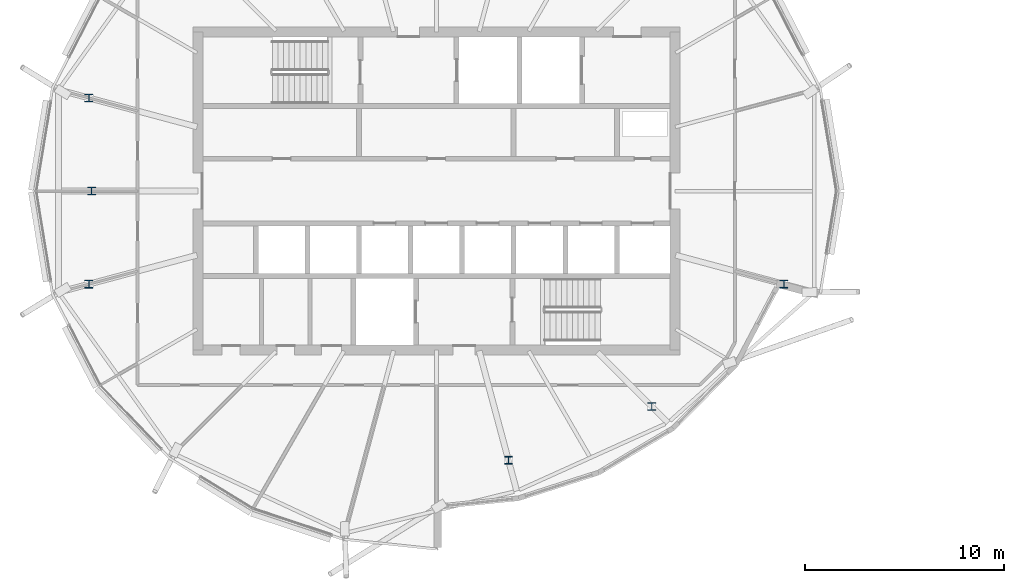
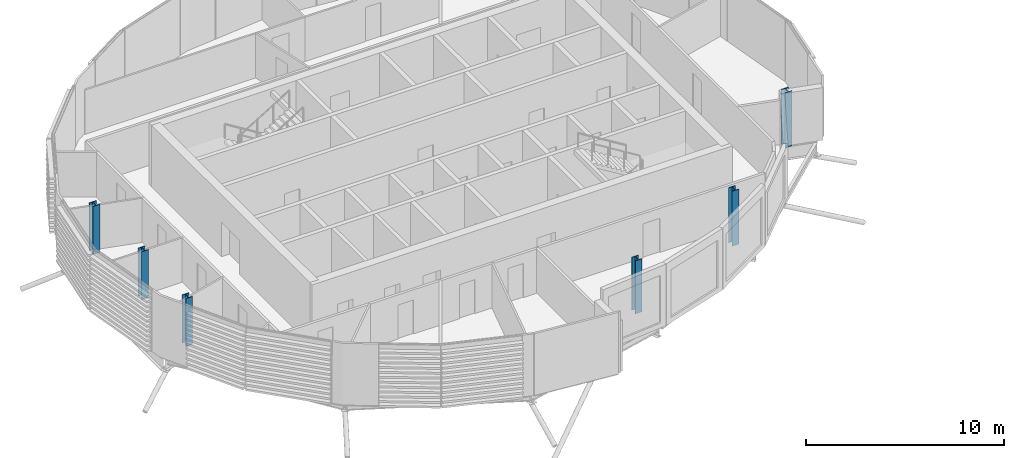
# One storey, part 1 of 36: 6 columns.
"""IFC4 building model written with IfcOpenShell, lengths in metres."""

from ifc_helpers import new_model, si_unit, direction, frame, origin, origin_2d, place, context, subcontext, project, spatial, i_section, extrude, material, material_profile, profile_set, type_object, element, save


model = new_model("IFC4")

# Units and contexts
model_context = context("Model", 3, precision=1e-05, world=origin(), true_north=direction((0.0, 1.0)))
body_context = subcontext(model_context, "Body", "Model", "MODEL_VIEW")
ifc_project = project(units=[si_unit("LENGTHUNIT", "METRE"), si_unit("AREAUNIT", "SQUARE_METRE"), si_unit("VOLUMEUNIT", "CUBIC_METRE"), si_unit("PLANEANGLEUNIT", "RADIAN"), si_unit("MASSUNIT", "GRAM", prefix="KILO")], contexts=[model_context])

# Site, building, storey
site_placement = place(None, origin())
site = spatial("IfcSite", under=ifc_project, at=site_placement, CompositionType="ELEMENT")
building_placement = place(site_placement, origin())
building = spatial("IfcBuilding", under=site, at=building_placement, Name="Rimbun Link Towers", CompositionType="ELEMENT")
storey_placement = place(building_placement, frame((0.0, 0.0, 248.5)))
storey = spatial("IfcBuildingStorey", under=building, at=storey_placement, Name="L61", CompositionType="ELEMENT", Elevation=248.5)

# Columns
ifc_material = material(Name="Steel S355J2", Category="steel")
ifc_material_profile = material_profile(ifc_material, i_section(OverallWidth=0.39892578125, OverallDepth=0.3935546875, WebThickness=0.022705078125, FlangeThickness=0.03662109375, at=origin_2d()), Name="UC 356x406x287")
ifc_profile_set = profile_set([ifc_material_profile], Name="Steel S355J2")
column_type = type_object("IfcColumnType", Name="UC 356x406x287", PredefinedType="COLUMN", material=ifc_profile_set)
for number, where, z_axis, x_axis, name in (
    (1, (-49.232177734375, 4.684326171875, -0.139892578125), (0.0, 0.0, 1.0), (1.0, 0.0, 0.0), "Crease post T1 L61 11"),
    (2, (-49.0966796875, 0.0, -0.139892578125), (0.0, 0.0, 1.0), (1.0, 0.0, 0.0), "Crease post T1 L61 12"),
    (3, (-49.232177734375, -4.684326171875, -0.139892578125), (0.0, 0.0, 1.0), (1.0, 0.0, 0.0), "Crease post T1 L61 13"),
):
    element("IfcColumn", number, at=place(storey_placement, frame(where, z_axis=z_axis, x_axis=x_axis)), inside=storey, type_object=column_type, Name=name, PredefinedType="COLUMN", context=body_context, shape_type="SweptSolid", body=[
        extrude(i_section(OverallWidth=0.39892578125, OverallDepth=0.3935546875, WebThickness=0.022705078125, FlangeThickness=0.03662109375, at=origin_2d()), origin(), (0.0, 0.0, 1.0), 2.959228515625),
    ])
column_placement = place(storey_placement, frame((-28.12109375, -13.543212890625, -0.139892578125), z_axis=(0.0, 0.0, 1.0), x_axis=(1.0, 0.0, 0.0)))
element("IfcColumn", 4, at=column_placement, inside=storey, type_object=column_type, Name="Crease post T1 L61 19", PredefinedType="COLUMN", context=body_context, shape_type="SweptSolid", body=[
    extrude(i_section(OverallWidth=0.39892578125, OverallDepth=0.3935546875, WebThickness=0.022705078125, FlangeThickness=0.03662109375, at=origin_2d()), origin(), (0.0, 0.0, 1.0), 3.266845703125),
])
for number, where, z_axis, x_axis, name in (
    (5, (-20.9130859375, -10.8369140625, -0.139892578125), (0.0, 0.0, 1.0), (1.0, 0.0, 0.0), "Crease post T1 L61 21"),
    (6, (-14.27099609375, -4.68359375, -0.139892578125), (0.0, 0.0, 1.0), (1.0, 0.0, 0.0), "Crease post T1 L61 23"),
):
    element("IfcColumn", number, at=place(storey_placement, frame(where, z_axis=z_axis, x_axis=x_axis)), inside=storey, type_object=column_type, Name=name, PredefinedType="COLUMN", context=body_context, shape_type="SweptSolid", body=[
        extrude(i_section(OverallWidth=0.39892578125, OverallDepth=0.3935546875, WebThickness=0.022705078125, FlangeThickness=0.03662109375, at=origin_2d()), origin(), (0.0, 0.0, 1.0), 3.3935546875),
    ])

save(model, "model.ifc")
